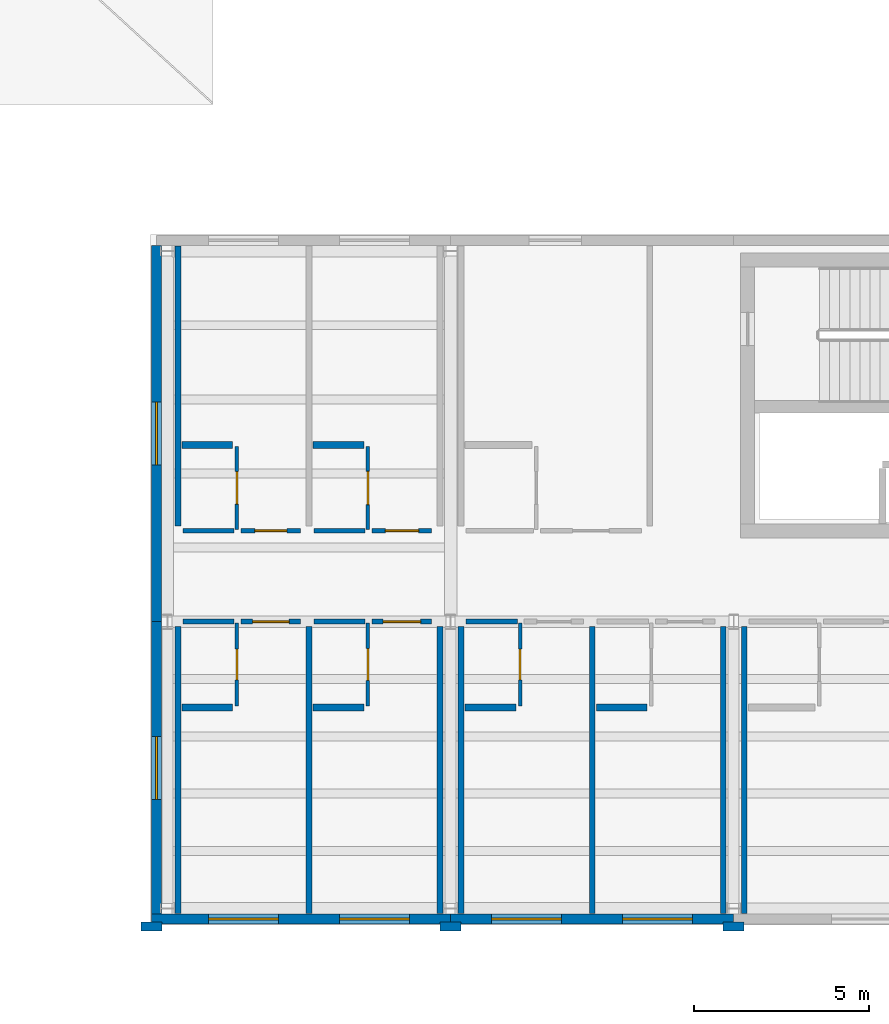
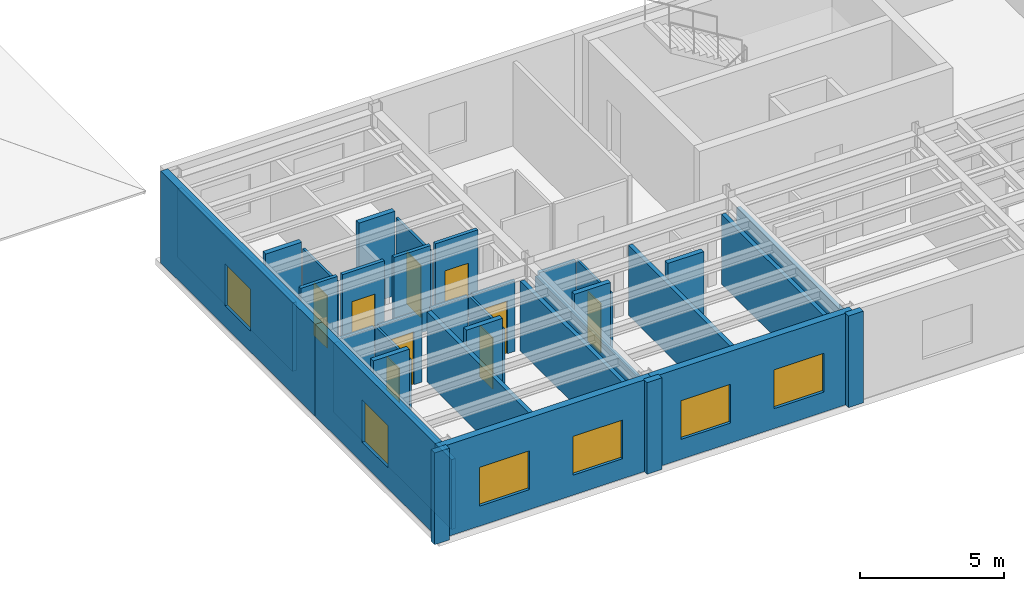
# One storey, part 25 of 46: 35 walls, 9 doors, 6 windows, 15 openings.
"""IFC4 building model written with IfcOpenShell, lengths in metres."""

from ifc_helpers import new_model, si_unit, direction, frame, frame_2d, origin, place, context, subcontext, project, spatial, rectangle, extrude, material, layer, layer_set, type_object, element, fill, save


model = new_model("IFC4")

# Units and contexts
model_context = context("Model", 3, precision=1e-05, world=origin(), true_north=direction((0.0, 1.0)))
body_context = subcontext(model_context, "Body", "Model", "MODEL_VIEW")
ifc_project = project(units=[si_unit("LENGTHUNIT", "METRE"), si_unit("AREAUNIT", "SQUARE_METRE"), si_unit("VOLUMEUNIT", "CUBIC_METRE"), si_unit("PLANEANGLEUNIT", "RADIAN"), si_unit("MASSUNIT", "GRAM", prefix="KILO")], contexts=[model_context])

# Site, building, storey
site_placement = place(None, origin())
site = spatial("IfcSite", under=ifc_project, at=site_placement, CompositionType="ELEMENT")
building_placement = place(site_placement, origin())
building = spatial("IfcBuilding", under=site, at=building_placement, Name="Sollismere Congress Hotel", CompositionType="ELEMENT")
storey_placement = place(building_placement, frame((0.0, 0.0, 19.5)))
storey = spatial("IfcBuildingStorey", under=building, at=storey_placement, Name="L04", CompositionType="ELEMENT", Elevation=19.5)

# Wall, openings, windows
ifc_material_1 = material(Name="Colorado Buff Sandstone Rainscreen on Insulated Backup", Category="masonry")
ifc_layer_1 = layer(ifc_material_1, 0.284912109375, Name="Colorado Buff Sandstone Rainscreen on Insulated Backup")
ifc_layer_set_1 = layer_set([ifc_layer_1], Name="Colorado Buff Sandstone Rainscreen on Insulated Backup")
wall_type_1 = type_object("IfcWallType", Name="WL-EXT285", PredefinedType="STANDARD", material=ifc_layer_set_1)
wall_1_placement = place(storey_placement, frame((33.75, -0.31005859375, 0.0), z_axis=(0.0, 0.0, 1.0), x_axis=(1.0, 0.0, 0.0)))
wall_1 = element("IfcWall", 1, at=wall_1_placement, inside=storey, type_object=wall_type_1, Name="Exterior wall EW-L04-476", PredefinedType="STANDARD", context=body_context, shape_type="SweptSolid", body=[
    extrude(rectangle(XDim=8.550048828125, YDim=0.284912109375, at=frame_2d((4.27490234375, 0.0))), origin(), (0.0, 0.0, 1.0), 3.89990234375),
])
opening_1_placement = place(wall_1_placement, frame((1.625, 0.0, 0.85009765625)))
opening_1 = element("IfcOpeningElement", 2, at=opening_1_placement, cuts=wall_1, Name="Opening W-L04-366", PredefinedType="OPENING", context=body_context, shape_type="SweptSolid", body=[
    extrude(rectangle(XDim=2.0, YDim=1.64990234375, at=frame_2d((1.0, 0.824951171875))), frame((0.0, 0.15234375, 0.0), z_axis=(0.0, -1.0, 0.0), x_axis=(1.0, 0.0, 0.0)), (0.0, 0.0, 1.0), 0.304931640625),
])
opening_2_placement = place(wall_1_placement, frame((5.375, 0.0, 0.85009765625)))
opening_2 = element("IfcOpeningElement", 3, at=opening_2_placement, cuts=wall_1, Name="Opening W-L04-367", PredefinedType="OPENING", context=body_context, shape_type="SweptSolid", body=[
    extrude(rectangle(XDim=2.0, YDim=1.64990234375, at=frame_2d((1.0, 0.824951171875))), frame((0.0, 0.15234375, 0.0), z_axis=(0.0, -1.0, 0.0), x_axis=(1.0, 0.0, 0.0)), (0.0, 0.0, 1.0), 0.304931640625),
])
ifc_material_2 = material(Name="Thermally Broken Bronze Aluminum & Low-E Glass", Category="aluminium")
window_type_1 = type_object("IfcWindowType", Name="WN-P200x165", PartitioningType="SINGLE_PANEL", PredefinedType="WINDOW", material=ifc_material_2)
window_1_placement = place(opening_1_placement, origin())
window_1 = element("IfcWindow", 4, at=window_1_placement, inside=storey, type_object=window_type_1, Name="WIN-W-L04-366", OverallHeight=1.64990234375, OverallWidth=2.0, PartitioningType="SINGLE_PANEL", PredefinedType="WINDOW", context=body_context, shape_type="SweptSolid", body=[
    extrude(rectangle(XDim=2.0, YDim=1.64990234375, at=frame_2d((1.0, 0.824951171875))), frame((0.0, 0.030029296875, 0.0), z_axis=(0.0, -1.0, 0.0), x_axis=(1.0, 0.0, 0.0)), (0.0, 0.0, 1.0), 0.06005859375),
])
fill(opening_1, window_1)
window_2_placement = place(opening_2_placement, origin())
window_2 = element("IfcWindow", 5, at=window_2_placement, inside=storey, type_object=window_type_1, Name="WIN-W-L04-367", OverallHeight=1.64990234375, OverallWidth=2.0, PartitioningType="SINGLE_PANEL", PredefinedType="WINDOW", context=body_context, shape_type="SweptSolid", body=[
    extrude(rectangle(XDim=2.0, YDim=1.64990234375, at=frame_2d((1.0, 0.824951171875))), frame((0.0, 0.030029296875, 0.0), z_axis=(0.0, -1.0, 0.0), x_axis=(1.0, 0.0, 0.0)), (0.0, 0.0, 1.0), 0.06005859375),
])
fill(opening_2, window_2)

wall_2_placement = place(storey_placement, frame((42.300048828125, -0.31005859375, 0.0), z_axis=(0.0, 0.0, 1.0), x_axis=(1.0, 0.0, 0.0)))
wall_2 = element("IfcWall", 6, at=wall_2_placement, inside=storey, type_object=wall_type_1, Name="Exterior wall EW-L04-478", PredefinedType="STANDARD", context=body_context, shape_type="SweptSolid", body=[
    extrude(rectangle(XDim=8.099853515625, YDim=0.284912109375, at=frame_2d((4.0498046875, 0.0))), origin(), (0.0, 0.0, 1.0), 3.89990234375),
])
opening_3_placement = place(wall_2_placement, frame((1.175048828125, 0.0, 0.85009765625)))
opening_3 = element("IfcOpeningElement", 7, at=opening_3_placement, cuts=wall_2, Name="Opening W-L04-368", PredefinedType="OPENING", context=body_context, shape_type="SweptSolid", body=[
    extrude(rectangle(XDim=2.0, YDim=1.64990234375, at=frame_2d((1.0, 0.824951171875))), frame((0.0, 0.15234375, 0.0), z_axis=(0.0, -1.0, 0.0), x_axis=(1.0, 0.0, 0.0)), (0.0, 0.0, 1.0), 0.304931640625),
])
opening_4_placement = place(wall_2_placement, frame((4.925048828125, 0.0, 0.85009765625)))
opening_4 = element("IfcOpeningElement", 8, at=opening_4_placement, cuts=wall_2, Name="Opening W-L04-369", PredefinedType="OPENING", context=body_context, shape_type="SweptSolid", body=[
    extrude(rectangle(XDim=2.0, YDim=1.64990234375, at=frame_2d((1.0, 0.824951171875))), frame((0.0, 0.15234375, 0.0), z_axis=(0.0, -1.0, 0.0), x_axis=(1.0, 0.0, 0.0)), (0.0, 0.0, 1.0), 0.304931640625),
])
window_3_placement = place(opening_3_placement, origin())
window_3 = element("IfcWindow", 9, at=window_3_placement, inside=storey, type_object=window_type_1, Name="WIN-W-L04-368", OverallHeight=1.64990234375, OverallWidth=2.0, PartitioningType="SINGLE_PANEL", PredefinedType="WINDOW", context=body_context, shape_type="SweptSolid", body=[
    extrude(rectangle(XDim=2.0, YDim=1.64990234375, at=frame_2d((1.0, 0.824951171875))), frame((0.0, 0.030029296875, 0.0), z_axis=(0.0, -1.0, 0.0), x_axis=(1.0, 0.0, 0.0)), (0.0, 0.0, 1.0), 0.06005859375),
])
fill(opening_3, window_3)
window_4_placement = place(opening_4_placement, origin())
window_4 = element("IfcWindow", 10, at=window_4_placement, inside=storey, type_object=window_type_1, Name="WIN-W-L04-369", OverallHeight=1.64990234375, OverallWidth=2.0, PartitioningType="SINGLE_PANEL", PredefinedType="WINDOW", context=body_context, shape_type="SweptSolid", body=[
    extrude(rectangle(XDim=2.0, YDim=1.64990234375, at=frame_2d((1.0, 0.824951171875))), frame((0.0, 0.030029296875, 0.0), z_axis=(0.0, -1.0, 0.0), x_axis=(1.0, 0.0, 0.0)), (0.0, 0.0, 1.0), 0.06005859375),
])
fill(opening_4, window_4)

# Wall, opening, window
wall_3_placement = place(storey_placement, frame((33.889892578125, 8.199951171875, 0.0), z_axis=(0.0, 0.0, 1.0), x_axis=(0.0, -1.0, 0.0)))
wall_3 = element("IfcWall", 11, at=wall_3_placement, inside=storey, type_object=wall_type_1, Name="Exterior wall EW-L04-562", PredefinedType="STANDARD", context=body_context, shape_type="SweptSolid", body=[
    extrude(rectangle(XDim=8.365478515625, YDim=0.284912109375, at=frame_2d((4.1826171875, 0.0))), origin(), (0.0, 0.0, 1.0), 3.89990234375),
])
opening_5_placement = place(wall_3_placement, frame((3.28271484375, 0.0, 0.8798828125)))
opening_5 = element("IfcOpeningElement", 12, at=opening_5_placement, cuts=wall_3, Name="Opening W-L04-421", PredefinedType="OPENING", context=body_context, shape_type="SweptSolid", body=[
    extrude(rectangle(XDim=1.800048828125, YDim=1.800048828125, at=frame_2d((0.89990234375, 0.89990234375))), frame((0.0, 0.15234375, 0.0), z_axis=(0.0, -1.0, 0.0), x_axis=(1.0, 0.0, 0.0)), (0.0, 0.0, 1.0), 0.304931640625),
])
window_type_2 = type_object("IfcWindowType", Name="WN-P180x180", PartitioningType="SINGLE_PANEL", PredefinedType="WINDOW", material=ifc_material_2)
window_5_placement = place(opening_5_placement, origin())
window_5 = element("IfcWindow", 13, at=window_5_placement, inside=storey, type_object=window_type_2, Name="WIN-W-L04-421", OverallHeight=1.800048828125, OverallWidth=1.800048828125, PartitioningType="SINGLE_PANEL", PredefinedType="WINDOW", context=body_context, shape_type="SweptSolid", body=[
    extrude(rectangle(XDim=1.800048828125, YDim=1.800048828125, at=frame_2d((0.89990234375, 0.89990234375))), frame((0.0, 0.030029296875, 0.0), z_axis=(0.0, -1.0, 0.0), x_axis=(1.0, 0.0, 0.0)), (0.0, 0.0, 1.0), 0.06005859375),
])
fill(opening_5, window_5)

wall_4_placement = place(storey_placement, frame((33.889892578125, 18.965576171875, 0.0), z_axis=(0.0, 0.0, 1.0), x_axis=(0.0, -1.0, 0.0)))
wall_4 = element("IfcWall", 14, at=wall_4_placement, inside=storey, type_object=wall_type_1, Name="Exterior wall EW-L04-563", PredefinedType="STANDARD", context=body_context, shape_type="SweptSolid", body=[
    extrude(rectangle(XDim=10.765625, YDim=0.284912109375, at=frame_2d((5.3828125, 0.0))), origin(), (0.0, 0.0, 1.0), 3.89990234375),
])
opening_6_placement = place(wall_4_placement, frame((4.482666015625, 0.0, 0.8798828125)))
opening_6 = element("IfcOpeningElement", 15, at=opening_6_placement, cuts=wall_4, Name="Opening W-L04-422", PredefinedType="OPENING", context=body_context, shape_type="SweptSolid", body=[
    extrude(rectangle(XDim=1.800048828125, YDim=1.800048828125, at=frame_2d((0.89990234375, 0.89990234375))), frame((0.0, 0.15234375, 0.0), z_axis=(0.0, -1.0, 0.0), x_axis=(1.0, 0.0, 0.0)), (0.0, 0.0, 1.0), 0.304931640625),
])
window_6_placement = place(opening_6_placement, origin())
window_6 = element("IfcWindow", 16, at=window_6_placement, inside=storey, type_object=window_type_2, Name="WIN-W-L04-422", OverallHeight=1.800048828125, OverallWidth=1.800048828125, PartitioningType="SINGLE_PANEL", PredefinedType="WINDOW", context=body_context, shape_type="SweptSolid", body=[
    extrude(rectangle(XDim=1.800048828125, YDim=1.800048828125, at=frame_2d((0.89990234375, 0.89990234375))), frame((0.0, 0.030029296875, 0.0), z_axis=(0.0, -1.0, 0.0), x_axis=(1.0, 0.0, 0.0)), (0.0, 0.0, 1.0), 0.06005859375),
])
fill(opening_6, window_6)

# Walls
ifc_material_3 = material(Name="Carved Travertine Pilaster & Frieze Assembly", Category="masonry")
ifc_layer_2 = layer(ifc_material_3, 0.260009765625, Name="Carved Travertine Pilaster & Frieze Assembly")
ifc_layer_set_2 = layer_set([ifc_layer_2], Name="Carved Travertine Pilaster & Frieze Assembly")
wall_type_2 = type_object("IfcWallType", Name="WL-PIL280", PredefinedType="ELEMENTEDWALL", material=ifc_layer_set_2)
for number, where, z_axis, x_axis, name in (
    (17, (33.449951171875, -0.52001953125, 0.0), (0.0, 0.0, 1.0), (1.0, 0.0, 0.0), "Exterior wall EW-L04-477"),
    (18, (42.0, -0.52001953125, 0.0), (0.0, 0.0, 1.0), (1.0, 0.0, 0.0), "Exterior wall EW-L04-479"),
):
    element("IfcWall", number, at=place(storey_placement, frame(where, z_axis=z_axis, x_axis=x_axis)), inside=storey, type_object=wall_type_2, Name=name, PredefinedType="ELEMENTEDWALL", context=body_context, shape_type="SweptSolid", body=[
        extrude(rectangle(XDim=0.60009765625, YDim=0.260009765625, at=frame_2d((0.300048828125, 0.0))), origin(), (0.0, 0.0, 1.0), 3.89990234375),
    ])
wall_5_placement = place(storey_placement, frame((50.10009765625, -0.52001953125, 0.0), z_axis=(0.0, 0.0, 1.0), x_axis=(1.0, 0.0, 0.0)))
element("IfcWall", 19, at=wall_5_placement, inside=storey, type_object=wall_type_2, Name="Exterior wall EW-L04-481", PredefinedType="ELEMENTEDWALL", context=body_context, shape_type="SweptSolid", body=[
    extrude(rectangle(XDim=0.599853515625, YDim=0.260009765625, at=frame_2d((0.2998046875, 0.0))), origin(), (0.0, 0.0, 1.0), 3.89990234375),
])
ifc_material_4 = material(Name="Moisture-Resistant Shaft Gypsum Assembly")
ifc_layer_3 = layer(ifc_material_4, 0.199951171875, Name="Moisture-Resistant Shaft Gypsum Assembly")
ifc_layer_set_3 = layer_set([ifc_layer_3], Name="Moisture-Resistant Shaft Gypsum Assembly")
wall_type_3 = type_object("IfcWallType", Name="WL-PLM200", PredefinedType="PLUMBINGWALL", material=ifc_layer_set_3)
for number, where, z_axis, x_axis, name in (
    (20, (34.6201171875, 5.75, 0.0), (0.0, 0.0, 1.0), (1.0, 0.0, 0.0), "Interior wall IW-L04-1488"),
    (21, (38.3701171875, 5.75, 0.0), (0.0, 0.0, 1.0), (1.0, 0.0, 0.0), "Interior wall IW-L04-1493"),
    (22, (34.6201171875, 13.25, 0.0), (0.0, 0.0, 1.0), (1.0, 0.0, 0.0), "Interior wall IW-L04-1499"),
    (23, (38.3701171875, 13.25, 0.0), (0.0, 0.0, 1.0), (1.0, 0.0, 0.0), "Interior wall IW-L04-1504"),
    (24, (42.719970703125, 5.75, 0.0), (0.0, 0.0, 1.0), (1.0, 0.0, 0.0), "Interior wall IW-L04-1510"),
    (25, (46.469970703125, 5.75, 0.0), (0.0, 0.0, 1.0), (1.0, 0.0, 0.0), "Interior wall IW-L04-1515"),
):
    element("IfcWall", number, at=place(storey_placement, frame(where, z_axis=z_axis, x_axis=x_axis)), inside=storey, type_object=wall_type_3, Name=name, PredefinedType="PLUMBINGWALL", context=body_context, shape_type="SweptSolid", body=[
        extrude(rectangle(XDim=1.447998046875, YDim=0.199951171875, at=frame_2d((0.72412109375, 0.0))), origin(), (0.0, 0.0, 1.0), 3.5849609375),
    ])

# Wall, opening, door
ifc_material_5 = material(Name="Moisture-Resistant Gypsum Partition")
ifc_layer_4 = layer(ifc_material_5, 0.10009765625, Name="Moisture-Resistant Gypsum Partition")
ifc_layer_set_4 = layer_set([ifc_layer_4], Name="Moisture-Resistant Gypsum Partition")
wall_type_4 = type_object("IfcWallType", Name="WL-PRT100", PredefinedType="PARTITIONING", material=ifc_layer_set_4)
wall_6_placement = place(storey_placement, frame((36.18798828125, 5.7900390625, 0.0), z_axis=(0.0, 0.0, 1.0), x_axis=(0.0, 1.0, 0.0)))
wall_6 = element("IfcWall", 26, at=wall_6_placement, inside=storey, type_object=wall_type_4, Name="Interior wall IW-L04-1487", PredefinedType="PARTITIONING", context=body_context, shape_type="SweptSolid", body=[
    extrude(rectangle(XDim=2.369873046875, YDim=0.10009765625, at=frame_2d((1.18505859375, 0.0))), origin(), (0.0, 0.0, 1.0), 2.998046875),
])
opening_7_placement = place(wall_6_placement, frame((0.7451171875, 0.0, 0.0)))
opening_7 = element("IfcOpeningElement", 27, at=opening_7_placement, cuts=wall_6, Name="Opening D-L04-0524", PredefinedType="OPENING", context=body_context, shape_type="SweptSolid", body=[
    extrude(rectangle(XDim=0.8798828125, YDim=2.179931640625, at=frame_2d((0.43994140625, 1.08984375))), frame((0.0, 0.06005859375, 0.0), z_axis=(0.0, -1.0, 0.0), x_axis=(1.0, 0.0, 0.0)), (0.0, 0.0, 1.0), 0.1201171875),
])
ifc_material_6 = material(Name="Moisture-Sealed Timber Bathroom Door", Category="wood")
door_type_1 = type_object("IfcDoorType", Name="DR-BT05", OperationType="NOTDEFINED", PredefinedType="DOOR", material=ifc_material_6)
door_1_placement = place(opening_7_placement, origin())
door_1 = element("IfcDoor", 28, at=door_1_placement, inside=storey, type_object=door_type_1, Name="En-suite bathroom door D-L04-0524", OperationType="SINGLE_SWING_LEFT", OverallHeight=2.179931640625, OverallWidth=0.8798828125, PredefinedType="DOOR", context=body_context, shape_type="SweptSolid", body=[
    extrude(rectangle(XDim=0.8798828125, YDim=2.179931640625, at=frame_2d((0.43994140625, 1.08984375))), frame((0.0, 0.02490234375, 0.0), z_axis=(0.0, -1.0, 0.0), x_axis=(1.0, 0.0, 0.0)), (0.0, 0.0, 1.0), 0.050048828125),
])
fill(opening_7, door_1)

wall_7_placement = place(storey_placement, frame((39.93798828125, 5.7900390625, 0.0), z_axis=(0.0, 0.0, 1.0), x_axis=(0.0, 1.0, 0.0)))
wall_7 = element("IfcWall", 29, at=wall_7_placement, inside=storey, type_object=wall_type_4, Name="Interior wall IW-L04-1492", PredefinedType="PARTITIONING", context=body_context, shape_type="SweptSolid", body=[
    extrude(rectangle(XDim=2.369873046875, YDim=0.10009765625, at=frame_2d((1.18505859375, 0.0))), origin(), (0.0, 0.0, 1.0), 2.998046875),
])
opening_8_placement = place(wall_7_placement, frame((0.73291015625, 0.0, 0.0)))
opening_8 = element("IfcOpeningElement", 30, at=opening_8_placement, cuts=wall_7, Name="Opening D-L04-0526", PredefinedType="OPENING", context=body_context, shape_type="SweptSolid", body=[
    extrude(rectangle(XDim=0.905029296875, YDim=2.179931640625, at=frame_2d((0.45263671875, 1.08984375))), frame((0.0, 0.06005859375, 0.0), z_axis=(0.0, -1.0, 0.0), x_axis=(1.0, 0.0, 0.0)), (0.0, 0.0, 1.0), 0.1201171875),
])
door_type_2 = type_object("IfcDoorType", Name="DR-BT06", OperationType="NOTDEFINED", PredefinedType="DOOR", material=ifc_material_6)
door_2_placement = place(opening_8_placement, origin())
door_2 = element("IfcDoor", 31, at=door_2_placement, inside=storey, type_object=door_type_2, Name="En-suite bathroom door D-L04-0526", OperationType="SINGLE_SWING_LEFT", OverallHeight=2.179931640625, OverallWidth=0.905029296875, PredefinedType="DOOR", context=body_context, shape_type="SweptSolid", body=[
    extrude(rectangle(XDim=0.905029296875, YDim=2.179931640625, at=frame_2d((0.45263671875, 1.08984375))), frame((0.0, 0.02490234375, 0.0), z_axis=(0.0, -1.0, 0.0), x_axis=(1.0, 0.0, 0.0)), (0.0, 0.0, 1.0), 0.050048828125),
])
fill(opening_8, door_2)

wall_8_placement = place(storey_placement, frame((36.18798828125, 10.840087890625, 0.0), z_axis=(0.0, 0.0, 1.0), x_axis=(0.0, 1.0, 0.0)))
wall_8 = element("IfcWall", 32, at=wall_8_placement, inside=storey, type_object=wall_type_4, Name="Interior wall IW-L04-1498", PredefinedType="PARTITIONING", context=body_context, shape_type="SweptSolid", body=[
    extrude(rectangle(XDim=2.369873046875, YDim=0.10009765625, at=frame_2d((1.18505859375, 0.0))), origin(), (0.0, 0.0, 1.0), 3.25390625),
])
opening_9_placement = place(wall_8_placement, frame((0.719970703125, 0.0, 0.0)))
opening_9 = element("IfcOpeningElement", 33, at=opening_9_placement, cuts=wall_8, Name="Opening D-L04-0528", PredefinedType="OPENING", context=body_context, shape_type="SweptSolid", body=[
    extrude(rectangle(XDim=0.929931640625, YDim=2.219970703125, at=frame_2d((0.46484375, 1.10986328125))), frame((0.0, 0.06005859375, 0.0), z_axis=(0.0, -1.0, 0.0), x_axis=(1.0, 0.0, 0.0)), (0.0, 0.0, 1.0), 0.1201171875),
])
door_type_3 = type_object("IfcDoorType", Name="DR-BT07", OperationType="NOTDEFINED", PredefinedType="DOOR", material=ifc_material_6)
door_3_placement = place(opening_9_placement, origin())
door_3 = element("IfcDoor", 34, at=door_3_placement, inside=storey, type_object=door_type_3, Name="En-suite bathroom door D-L04-0528", OperationType="SINGLE_SWING_LEFT", OverallHeight=2.219970703125, OverallWidth=0.929931640625, PredefinedType="DOOR", context=body_context, shape_type="SweptSolid", body=[
    extrude(rectangle(XDim=0.929931640625, YDim=2.219970703125, at=frame_2d((0.46484375, 1.10986328125))), frame((0.0, 0.02490234375, 0.0), z_axis=(0.0, -1.0, 0.0), x_axis=(1.0, 0.0, 0.0)), (0.0, 0.0, 1.0), 0.050048828125),
])
fill(opening_9, door_3)

wall_9_placement = place(storey_placement, frame((39.93798828125, 10.840087890625, 0.0), z_axis=(0.0, 0.0, 1.0), x_axis=(0.0, 1.0, 0.0)))
wall_9 = element("IfcWall", 35, at=wall_9_placement, inside=storey, type_object=wall_type_4, Name="Interior wall IW-L04-1503", PredefinedType="PARTITIONING", context=body_context, shape_type="SweptSolid", body=[
    extrude(rectangle(XDim=2.369873046875, YDim=0.10009765625, at=frame_2d((1.18505859375, 0.0))), origin(), (0.0, 0.0, 1.0), 3.25390625),
])
opening_10_placement = place(wall_9_placement, frame((0.7080078125, 0.0, 0.0)))
opening_10 = element("IfcOpeningElement", 36, at=opening_10_placement, cuts=wall_9, Name="Opening D-L04-0530", PredefinedType="OPENING", context=body_context, shape_type="SweptSolid", body=[
    extrude(rectangle(XDim=0.955078125, YDim=2.219970703125, at=frame_2d((0.4775390625, 1.10986328125))), frame((0.0, 0.06005859375, 0.0), z_axis=(0.0, -1.0, 0.0), x_axis=(1.0, 0.0, 0.0)), (0.0, 0.0, 1.0), 0.1201171875),
])
door_type_4 = type_object("IfcDoorType", Name="DR-BT08", OperationType="NOTDEFINED", PredefinedType="DOOR", material=ifc_material_6)
door_4_placement = place(opening_10_placement, origin())
door_4 = element("IfcDoor", 37, at=door_4_placement, inside=storey, type_object=door_type_4, Name="En-suite bathroom door D-L04-0530", OperationType="SINGLE_SWING_LEFT", OverallHeight=2.219970703125, OverallWidth=0.955078125, PredefinedType="DOOR", context=body_context, shape_type="SweptSolid", body=[
    extrude(rectangle(XDim=0.955078125, YDim=2.219970703125, at=frame_2d((0.4775390625, 1.10986328125))), frame((0.0, 0.02490234375, 0.0), z_axis=(0.0, -1.0, 0.0), x_axis=(1.0, 0.0, 0.0)), (0.0, 0.0, 1.0), 0.050048828125),
])
fill(opening_10, door_4)

wall_10_placement = place(storey_placement, frame((44.2880859375, 5.7900390625, 0.0), z_axis=(0.0, 0.0, 1.0), x_axis=(0.0, 1.0, 0.0)))
wall_10 = element("IfcWall", 38, at=wall_10_placement, inside=storey, type_object=wall_type_4, Name="Interior wall IW-L04-1509", PredefinedType="PARTITIONING", context=body_context, shape_type="SweptSolid", body=[
    extrude(rectangle(XDim=2.369873046875, YDim=0.10009765625, at=frame_2d((1.18505859375, 0.0))), origin(), (0.0, 0.0, 1.0), 2.998046875),
])
opening_11_placement = place(wall_10_placement, frame((0.7451171875, 0.0, 0.0)))
opening_11 = element("IfcOpeningElement", 39, at=opening_11_placement, cuts=wall_10, Name="Opening D-L04-0532", PredefinedType="OPENING", context=body_context, shape_type="SweptSolid", body=[
    extrude(rectangle(XDim=0.8798828125, YDim=2.10009765625, at=frame_2d((0.43994140625, 1.050048828125))), frame((0.0, 0.06005859375, 0.0), z_axis=(0.0, -1.0, 0.0), x_axis=(1.0, 0.0, 0.0)), (0.0, 0.0, 1.0), 0.1201171875),
])
door_type_5 = type_object("IfcDoorType", Name="DR-BT01", OperationType="NOTDEFINED", PredefinedType="DOOR", material=ifc_material_6)
door_5_placement = place(opening_11_placement, origin())
door_5 = element("IfcDoor", 40, at=door_5_placement, inside=storey, type_object=door_type_5, Name="En-suite bathroom door D-L04-0532", OperationType="SINGLE_SWING_LEFT", OverallHeight=2.10009765625, OverallWidth=0.8798828125, PredefinedType="DOOR", context=body_context, shape_type="SweptSolid", body=[
    extrude(rectangle(XDim=0.8798828125, YDim=2.10009765625, at=frame_2d((0.43994140625, 1.050048828125))), frame((0.0, 0.02490234375, 0.0), z_axis=(0.0, -1.0, 0.0), x_axis=(1.0, 0.0, 0.0)), (0.0, 0.0, 1.0), 0.050048828125),
])
fill(opening_11, door_5)

# Wall
ifc_material_7 = material(Name="Fire-Rated Gypsum Partition")
ifc_layer_5 = layer(ifc_material_7, 0.139892578125, Name="Fire-Rated Gypsum Partition")
ifc_layer_set_5 = layer_set([ifc_layer_5], Name="Fire-Rated Gypsum Partition")
wall_type_5 = type_object("IfcWallType", Name="WL-PRT140R", PredefinedType="PARTITIONING", material=ifc_layer_set_5)
wall_11_placement = place(storey_placement, frame((34.639892578125, 8.199951171875, 0.0), z_axis=(0.0, 0.0, 1.0), x_axis=(1.0, 0.0, 0.0)))
element("IfcWall", 41, at=wall_11_placement, inside=storey, type_object=wall_type_5, Name="Interior wall IW-L04-1483", PredefinedType="PARTITIONING", context=body_context, shape_type="SweptSolid", body=[
    extrude(rectangle(XDim=1.468017578125, YDim=0.139892578125, at=frame_2d((0.73388671875, 0.0))), origin(), (0.0, 0.0, 1.0), 2.998046875),
])

# Wall, opening, door
wall_12_placement = place(storey_placement, frame((36.30810546875, 8.199951171875, 0.0), z_axis=(0.0, 0.0, 1.0), x_axis=(1.0, 0.0, 0.0)))
wall_12 = element("IfcWall", 42, at=wall_12_placement, inside=storey, type_object=wall_type_5, Name="Interior wall IW-L04-1484", PredefinedType="PARTITIONING", context=body_context, shape_type="SweptSolid", body=[
    extrude(rectangle(XDim=1.701904296875, YDim=0.139892578125, at=frame_2d((0.85107421875, 0.0))), origin(), (0.0, 0.0, 1.0), 2.998046875),
])
opening_12_placement = place(wall_12_placement, frame((0.3310546875, 0.0, 0.0)))
opening_12 = element("IfcOpeningElement", 43, at=opening_12_placement, cuts=wall_12, Name="Opening D-L04-0523", PredefinedType="OPENING", context=body_context, shape_type="SweptSolid", body=[
    extrude(rectangle(XDim=1.0400390625, YDim=2.25, at=frame_2d((0.52001953125, 1.125))), frame((0.0, 0.079833984375, 0.0), z_axis=(0.0, -1.0, 0.0), x_axis=(1.0, 0.0, 0.0)), (0.0, 0.0, 1.0), 0.159912109375),
])
ifc_material_8 = material(Name="Solid-Core Acoustic Walnut Guestroom Entry Door")
door_type_6 = type_object("IfcDoorType", Name="DR-KY05", OperationType="NOTDEFINED", PredefinedType="DOOR", material=ifc_material_8)
door_6_placement = place(opening_12_placement, origin())
door_6 = element("IfcDoor", 44, at=door_6_placement, inside=storey, type_object=door_type_6, Name="Hotel room entry door D-L04-0523", OperationType="SINGLE_SWING_RIGHT", OverallHeight=2.25, OverallWidth=1.0400390625, PredefinedType="DOOR", context=body_context, shape_type="SweptSolid", body=[
    extrude(rectangle(XDim=1.0400390625, YDim=2.25, at=frame_2d((0.52001953125, 1.125))), frame((0.0, 0.02490234375, 0.0), z_axis=(0.0, -1.0, 0.0), x_axis=(1.0, 0.0, 0.0)), (0.0, 0.0, 1.0), 0.050048828125),
])
fill(opening_12, door_6)

# Wall
wall_13_placement = place(storey_placement, frame((38.389892578125, 8.199951171875, 0.0), z_axis=(0.0, 0.0, 1.0), x_axis=(1.0, 0.0, 0.0)))
element("IfcWall", 45, at=wall_13_placement, inside=storey, type_object=wall_type_5, Name="Interior wall IW-L04-1489", PredefinedType="PARTITIONING", context=body_context, shape_type="SweptSolid", body=[
    extrude(rectangle(XDim=1.468017578125, YDim=0.139892578125, at=frame_2d((0.73388671875, 0.0))), origin(), (0.0, 0.0, 1.0), 2.998046875),
])

# Wall, opening, door
wall_14_placement = place(storey_placement, frame((40.05810546875, 8.199951171875, 0.0), z_axis=(0.0, 0.0, 1.0), x_axis=(1.0, 0.0, 0.0)))
wall_14 = element("IfcWall", 46, at=wall_14_placement, inside=storey, type_object=wall_type_5, Name="Interior wall IW-L04-1490", PredefinedType="PARTITIONING", context=body_context, shape_type="SweptSolid", body=[
    extrude(rectangle(XDim=1.701904296875, YDim=0.139892578125, at=frame_2d((0.85107421875, 0.0))), origin(), (0.0, 0.0, 1.0), 2.998046875),
])
opening_13_placement = place(wall_14_placement, frame((0.31591796875, 0.0, 0.0)))
opening_13 = element("IfcOpeningElement", 47, at=opening_13_placement, cuts=wall_14, Name="Opening D-L04-0525", PredefinedType="OPENING", context=body_context, shape_type="SweptSolid", body=[
    extrude(rectangle(XDim=1.070068359375, YDim=2.25, at=frame_2d((0.53515625, 1.125))), frame((0.0, 0.079833984375, 0.0), z_axis=(0.0, -1.0, 0.0), x_axis=(1.0, 0.0, 0.0)), (0.0, 0.0, 1.0), 0.159912109375),
])
door_type_7 = type_object("IfcDoorType", Name="DR-KY06", OperationType="NOTDEFINED", PredefinedType="DOOR", material=ifc_material_8)
door_7_placement = place(opening_13_placement, origin())
door_7 = element("IfcDoor", 48, at=door_7_placement, inside=storey, type_object=door_type_7, Name="Hotel room entry door D-L04-0525", OperationType="SINGLE_SWING_RIGHT", OverallHeight=2.25, OverallWidth=1.070068359375, PredefinedType="DOOR", context=body_context, shape_type="SweptSolid", body=[
    extrude(rectangle(XDim=1.070068359375, YDim=2.25, at=frame_2d((0.53515625, 1.125))), frame((0.0, 0.02490234375, 0.0), z_axis=(0.0, -1.0, 0.0), x_axis=(1.0, 0.0, 0.0)), (0.0, 0.0, 1.0), 0.050048828125),
])
fill(opening_13, door_7)

# Wall
wall_15_placement = place(storey_placement, frame((34.639892578125, 10.800048828125, 0.0), z_axis=(0.0, 0.0, 1.0), x_axis=(1.0, 0.0, 0.0)))
element("IfcWall", 49, at=wall_15_placement, inside=storey, type_object=wall_type_5, Name="Interior wall IW-L04-1494", PredefinedType="PARTITIONING", context=body_context, shape_type="SweptSolid", body=[
    extrude(rectangle(XDim=1.468017578125, YDim=0.139892578125, at=frame_2d((0.73388671875, 0.0))), origin(), (0.0, 0.0, 1.0), 3.5849609375),
])

# Wall, opening, door
wall_16_placement = place(storey_placement, frame((36.30810546875, 10.800048828125, 0.0), z_axis=(0.0, 0.0, 1.0), x_axis=(1.0, 0.0, 0.0)))
wall_16 = element("IfcWall", 50, at=wall_16_placement, inside=storey, type_object=wall_type_5, Name="Interior wall IW-L04-1495", PredefinedType="PARTITIONING", context=body_context, shape_type="SweptSolid", body=[
    extrude(rectangle(XDim=1.701904296875, YDim=0.139892578125, at=frame_2d((0.85107421875, 0.0))), origin(), (0.0, 0.0, 1.0), 3.5849609375),
])
opening_14_placement = place(wall_16_placement, frame((0.39111328125, 0.0, 0.0)))
opening_14 = element("IfcOpeningElement", 51, at=opening_14_placement, cuts=wall_16, Name="Opening D-L04-0527", PredefinedType="OPENING", context=body_context, shape_type="SweptSolid", body=[
    extrude(rectangle(XDim=0.919921875, YDim=2.300048828125, at=frame_2d((0.4599609375, 1.14990234375))), frame((0.0, 0.079833984375, 0.0), z_axis=(0.0, -1.0, 0.0), x_axis=(1.0, 0.0, 0.0)), (0.0, 0.0, 1.0), 0.159912109375),
])
door_type_8 = type_object("IfcDoorType", Name="DR-KY07", OperationType="NOTDEFINED", PredefinedType="DOOR", material=ifc_material_8)
door_8_placement = place(opening_14_placement, origin())
door_8 = element("IfcDoor", 52, at=door_8_placement, inside=storey, type_object=door_type_8, Name="Hotel room entry door D-L04-0527", OperationType="SINGLE_SWING_RIGHT", OverallHeight=2.300048828125, OverallWidth=0.919921875, PredefinedType="DOOR", context=body_context, shape_type="SweptSolid", body=[
    extrude(rectangle(XDim=0.919921875, YDim=2.300048828125, at=frame_2d((0.4599609375, 1.14990234375))), frame((0.0, 0.02490234375, 0.0), z_axis=(0.0, -1.0, 0.0), x_axis=(1.0, 0.0, 0.0)), (0.0, 0.0, 1.0), 0.050048828125),
])
fill(opening_14, door_8)

# Wall
wall_17_placement = place(storey_placement, frame((38.389892578125, 10.800048828125, 0.0), z_axis=(0.0, 0.0, 1.0), x_axis=(1.0, 0.0, 0.0)))
element("IfcWall", 53, at=wall_17_placement, inside=storey, type_object=wall_type_5, Name="Interior wall IW-L04-1500", PredefinedType="PARTITIONING", context=body_context, shape_type="SweptSolid", body=[
    extrude(rectangle(XDim=1.468017578125, YDim=0.139892578125, at=frame_2d((0.73388671875, 0.0))), origin(), (0.0, 0.0, 1.0), 3.5849609375),
])

# Wall, opening, door
wall_18_placement = place(storey_placement, frame((40.05810546875, 10.800048828125, 0.0), z_axis=(0.0, 0.0, 1.0), x_axis=(1.0, 0.0, 0.0)))
wall_18 = element("IfcWall", 54, at=wall_18_placement, inside=storey, type_object=wall_type_5, Name="Interior wall IW-L04-1501", PredefinedType="PARTITIONING", context=body_context, shape_type="SweptSolid", body=[
    extrude(rectangle(XDim=1.701904296875, YDim=0.139892578125, at=frame_2d((0.85107421875, 0.0))), origin(), (0.0, 0.0, 1.0), 3.5849609375),
])
opening_15_placement = place(wall_18_placement, frame((0.3759765625, 0.0, 0.0)))
opening_15 = element("IfcOpeningElement", 55, at=opening_15_placement, cuts=wall_18, Name="Opening D-L04-0529", PredefinedType="OPENING", context=body_context, shape_type="SweptSolid", body=[
    extrude(rectangle(XDim=0.949951171875, YDim=2.300048828125, at=frame_2d((0.47509765625, 1.14990234375))), frame((0.0, 0.079833984375, 0.0), z_axis=(0.0, -1.0, 0.0), x_axis=(1.0, 0.0, 0.0)), (0.0, 0.0, 1.0), 0.159912109375),
])
door_type_9 = type_object("IfcDoorType", Name="DR-KY08", OperationType="NOTDEFINED", PredefinedType="DOOR", material=ifc_material_8)
door_9_placement = place(opening_15_placement, origin())
door_9 = element("IfcDoor", 56, at=door_9_placement, inside=storey, type_object=door_type_9, Name="Hotel room entry door D-L04-0529", OperationType="SINGLE_SWING_RIGHT", OverallHeight=2.300048828125, OverallWidth=0.949951171875, PredefinedType="DOOR", context=body_context, shape_type="SweptSolid", body=[
    extrude(rectangle(XDim=0.949951171875, YDim=2.300048828125, at=frame_2d((0.47509765625, 1.14990234375))), frame((0.0, 0.02490234375, 0.0), z_axis=(0.0, -1.0, 0.0), x_axis=(1.0, 0.0, 0.0)), (0.0, 0.0, 1.0), 0.050048828125),
])
fill(opening_15, door_9)

# Walls
wall_19_placement = place(storey_placement, frame((42.739990234375, 8.199951171875, 0.0), z_axis=(0.0, 0.0, 1.0), x_axis=(1.0, 0.0, 0.0)))
element("IfcWall", 57, at=wall_19_placement, inside=storey, type_object=wall_type_5, Name="Interior wall IW-L04-1505", PredefinedType="PARTITIONING", context=body_context, shape_type="SweptSolid", body=[
    extrude(rectangle(XDim=1.468017578125, YDim=0.139892578125, at=frame_2d((0.73388671875, 0.0))), origin(), (0.0, 0.0, 1.0), 2.998046875),
])
ifc_material_9 = material(Name="Fire-Rated Acoustic Gypsum Partition")
ifc_layer_6 = layer(ifc_material_9, 0.1650390625, Name="Fire-Rated Acoustic Gypsum Partition")
ifc_layer_set_6 = layer_set([ifc_layer_6], Name="Fire-Rated Acoustic Gypsum Partition")
wall_type_6 = type_object("IfcWallType", Name="WL-PRT165R", PredefinedType="PARTITIONING", material=ifc_layer_set_6)
for number, where, z_axis, x_axis, name in (
    (58, (34.5, -0.152587890625, 0.0), (0.0, 0.0, 1.0), (0.0, 1.0, 0.0), "Interior wall IW-L04-1485"),
    (59, (38.25, -0.152587890625, 0.0), (0.0, 0.0, 1.0), (0.0, 1.0, 0.0), "Interior wall IW-L04-1486"),
    (60, (42.0, -0.152587890625, 0.0), (0.0, 0.0, 1.0), (0.0, 1.0, 0.0), "Interior wall IW-L04-1491"),
):
    element("IfcWall", number, at=place(storey_placement, frame(where, z_axis=z_axis, x_axis=x_axis)), inside=storey, type_object=wall_type_6, Name=name, PredefinedType="PARTITIONING", context=body_context, shape_type="SweptSolid", body=[
        extrude(rectangle(XDim=8.212646484375, YDim=0.1650390625, at=frame_2d((4.1064453125, 0.0))), origin(), (0.0, 0.0, 1.0), 2.97509765625),
    ])
wall_20_placement = place(storey_placement, frame((34.5, 10.93994140625, 0.0), z_axis=(0.0, 0.0, 1.0), x_axis=(0.0, 1.0, 0.0)))
element("IfcWall", 61, at=wall_20_placement, inside=storey, type_object=wall_type_6, Name="Interior wall IW-L04-1496", PredefinedType="PARTITIONING", context=body_context, shape_type="SweptSolid", body=[
    extrude(rectangle(XDim=8.012451171875, YDim=0.1650390625, at=frame_2d((4.00634765625, 0.0))), origin(), (0.0, 0.0, 1.0), 2.9140625),
])
for number, where, z_axis, x_axis, name in (
    (62, (42.60009765625, -0.152587890625, 0.0), (0.0, 0.0, 1.0), (0.0, 1.0, 0.0), "Interior wall IW-L04-1507"),
    (63, (46.35009765625, -0.152587890625, 0.0), (0.0, 0.0, 1.0), (0.0, 1.0, 0.0), "Interior wall IW-L04-1508"),
    (64, (50.10009765625, -0.152587890625, 0.0), (0.0, 0.0, 1.0), (0.0, 1.0, 0.0), "Interior wall IW-L04-1513"),
):
    element("IfcWall", number, at=place(storey_placement, frame(where, z_axis=z_axis, x_axis=x_axis)), inside=storey, type_object=wall_type_6, Name=name, PredefinedType="PARTITIONING", context=body_context, shape_type="SweptSolid", body=[
        extrude(rectangle(XDim=8.212646484375, YDim=0.1650390625, at=frame_2d((4.1064453125, 0.0))), origin(), (0.0, 0.0, 1.0), 2.97509765625),
    ])
wall_21_placement = place(storey_placement, frame((50.699951171875, -0.152587890625, 0.0), z_axis=(0.0, 0.0, 1.0), x_axis=(0.0, 1.0, 0.0)))
element("IfcWall", 65, at=wall_21_placement, inside=storey, type_object=wall_type_6, Name="Interior wall IW-L04-1524", PredefinedType="PARTITIONING", context=body_context, shape_type="SweptSolid", body=[
    extrude(rectangle(XDim=8.212646484375, YDim=0.1650390625, at=frame_2d((4.1064453125, 0.0))), origin(), (0.0, 0.0, 1.0), 3.05908203125),
])

save(model, "model.ifc")
